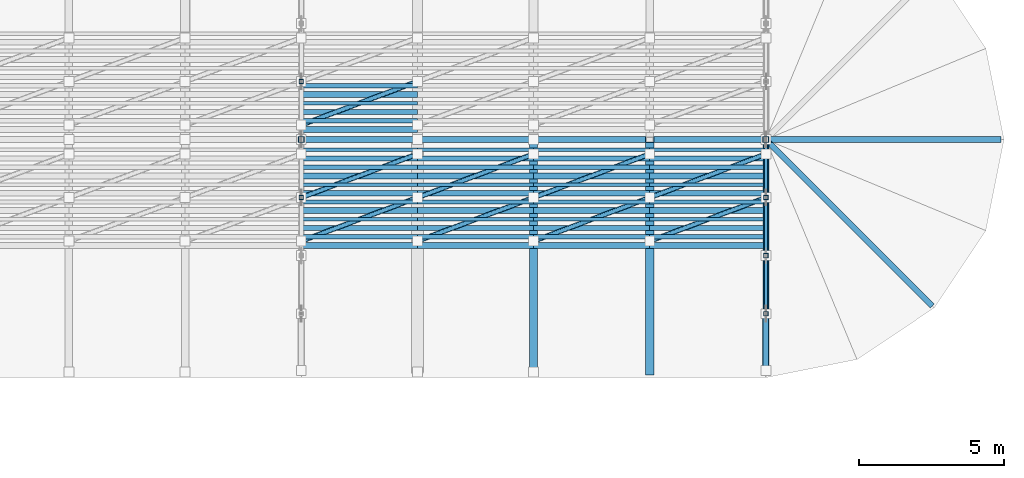
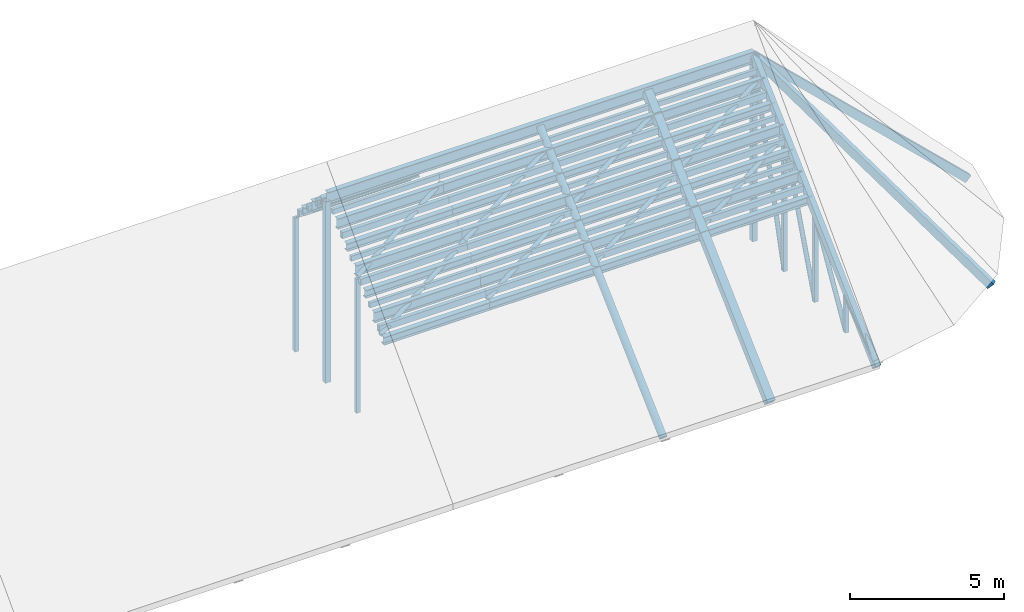
# One storey, part 12 of 18: 80 members.
"""IFC4 building model written with IfcOpenShell, lengths in metres."""

from ifc_helpers import new_model, si_unit, direction, frame, origin, origin_2d, place, context, subcontext, project, spatial, hollow_rectangle, hollow_circle, i_section, extrude, material, material_profile, profile_set, type_object, element, save


model = new_model("IFC4")

# Units and contexts
model_context = context("Model", 3, precision=1e-05, world=origin(), true_north=direction((0.0, 1.0)))
body_context = subcontext(model_context, "Body", "Model", "MODEL_VIEW")
ifc_project = project(units=[si_unit("LENGTHUNIT", "METRE"), si_unit("AREAUNIT", "SQUARE_METRE"), si_unit("VOLUMEUNIT", "CUBIC_METRE"), si_unit("PLANEANGLEUNIT", "RADIAN"), si_unit("MASSUNIT", "GRAM", prefix="KILO")], contexts=[model_context])

# Site, building, storey
site_placement = place(None, origin())
site = spatial("IfcSite", under=ifc_project, at=site_placement, CompositionType="ELEMENT")
building_placement = place(site_placement, origin())
building = spatial("IfcBuilding", under=site, at=building_placement, Name="Serraluz Foothill Cableway Terminal", CompositionType="ELEMENT")
storey_placement = place(building_placement, frame((0.0, 0.0, 24.300048828125)))
storey = spatial("IfcBuildingStorey", under=building, at=storey_placement, Name="RF", CompositionType="ELEMENT", Elevation=24.300048828125)

# Members
ifc_material_1 = material(Name="Steel ASTM A572 Grade 50", Category="steel")
ifc_material_profile_1 = material_profile(ifc_material_1, hollow_circle(Radius=0.084228515625, WallThickness=0.010009765625, at=origin_2d()), Name="CHS168X10")
ifc_profile_set_1 = profile_set([ifc_material_profile_1], Name="Steel ASTM A572 Grade 50")
member_type_1 = type_object("IfcMemberType", Name="TYP-BR-CHS168", PredefinedType="BRACE", material=ifc_profile_set_1)
member_1_placement = place(storey_placement, frame((152.0, 58.0302734375, -4.568115234375), z_axis=(0.0, 0.502584169831, 0.864528283074), x_axis=(-1.0, 0.0, 0.0)))
element("IfcMember", 1, at=member_1_placement, inside=storey, type_object=member_type_1, Name="ROOF TRUSS TR-08 Diagonal 2", PredefinedType="BRACE", context=body_context, shape_type="SweptSolid", body=[
    extrude(hollow_circle(Radius=0.084228515625, WallThickness=0.010009765625, at=origin_2d()), origin(), (0.0, 0.0, 1.0), 3.85888671875),
])
member_2_placement = place(storey_placement, frame((152.0, 60.02099609375, -4.56396484375), z_axis=(0.0, 0.352230195063, 0.935913398604), x_axis=(-1.0, 0.0, 0.0)))
element("IfcMember", 2, at=member_2_placement, inside=storey, type_object=member_type_1, Name="ROOF TRUSS TR-08 Diagonal 3", PredefinedType="BRACE", context=body_context, shape_type="SweptSolid", body=[
    extrude(hollow_circle(Radius=0.084228515625, WallThickness=0.010009765625, at=origin_2d()), origin(), (0.0, 0.0, 1.0), 5.558837890625),
])
member_3_placement = place(storey_placement, frame((152.0, 62.01611328125, -4.562255859375), z_axis=(0.0, 0.26797823219, 0.963424967017), x_axis=(-1.0, 0.0, 0.0)))
element("IfcMember", 3, at=member_3_placement, inside=storey, type_object=member_type_1, Name="ROOF TRUSS TR-08 Diagonal 4", PredefinedType="BRACE", context=body_context, shape_type="SweptSolid", body=[
    extrude(hollow_circle(Radius=0.084228515625, WallThickness=0.010009765625, at=origin_2d()), origin(), (0.0, 0.0, 1.0), 7.343017578125),
])
for number, where, z_axis, x_axis, name in (
    (4, (136.0, 60.5, -0.641357421875), (0.889382269185, 0.333518350944, 0.31267345401), (-0.351123441588, 0.936329177569, 0.0), "Roof Lateral Wind Brace 0697"),
    (5, (136.0, 62.0, 0.764892578125), (0.889382269185, 0.333518350944, 0.31267345401), (-0.351123441588, 0.936329177569, 0.0), "Roof Lateral Wind Brace 0698"),
    (6, (136.0, 64.5, 2.171142578125), (0.889382269185, 0.333518350944, -0.31267345401), (-0.351123441588, 0.936329177569, 0.0), "Roof Lateral Wind Brace 0699"),
    (7, (140.0, 60.5, -0.641357421875), (0.889382269185, 0.333518350944, 0.31267345401), (-0.351123441588, 0.936329177569, 0.0), "Roof Lateral Wind Brace 0725"),
    (8, (140.0, 62.0, 0.764892578125), (0.889382269185, 0.333518350944, 0.31267345401), (-0.351123441588, 0.936329177569, 0.0), "Roof Lateral Wind Brace 0726"),
    (9, (144.0, 60.5, -0.641357421875), (0.889382269185, 0.333518350944, 0.31267345401), (-0.351123441588, 0.936329177569, 0.0), "Roof Lateral Wind Brace 0753"),
    (10, (144.0, 62.0, 0.764892578125), (0.889382269185, 0.333518350944, 0.31267345401), (-0.351123441588, 0.936329177569, 0.0), "Roof Lateral Wind Brace 0754"),
    (11, (148.0, 60.5, -0.641357421875), (0.889382269185, 0.333518350944, 0.31267345401), (-0.351123441588, 0.936329177569, 0.0), "Roof Lateral Wind Brace 0781"),
    (12, (148.0, 62.0, 0.764892578125), (0.889382269185, 0.333518350944, 0.31267345401), (-0.351123441588, 0.936329177569, 0.0), "Roof Lateral Wind Brace 0782"),
):
    element("IfcMember", number, at=place(storey_placement, frame(where, z_axis=z_axis, x_axis=x_axis)), inside=storey, type_object=member_type_1, Name=name, PredefinedType="BRACE", context=body_context, shape_type="SweptSolid", body=[
        extrude(hollow_circle(Radius=0.084228515625, WallThickness=0.010009765625, at=origin_2d()), origin(), (0.0, 0.0, 1.0), 4.49755859375),
    ])
ifc_material_profile_2 = material_profile(ifc_material_1, hollow_circle(Radius=0.109619140625, WallThickness=0.011962890625, at=origin_2d()), Name="CHS219X12")
ifc_profile_set_2 = profile_set([ifc_material_profile_2], Name="Steel ASTM A572 Grade 50")
member_type_2 = type_object("IfcMemberType", Name="TYP-BR-CHS219", PredefinedType="BRACE", material=ifc_profile_set_2)
member_4_placement = place(storey_placement, frame((152.0, 56.04736328125, -4.5830078125), z_axis=(0.0, 0.787528424659, 0.616278330265), x_axis=(-1.0, 0.0, 0.0)))
element("IfcMember", 13, at=member_4_placement, inside=storey, type_object=member_type_2, Name="ROOF TRUSS TR-08 Diagonal 1", PredefinedType="BRACE", context=body_context, shape_type="SweptSolid", body=[
    extrude(hollow_circle(Radius=0.109619140625, WallThickness=0.011962890625, at=origin_2d()), origin(), (0.0, 0.0, 1.0), 2.419189453125),
])
ifc_material_profile_3 = material_profile(ifc_material_1, hollow_circle(Radius=0.136474609375, WallThickness=0.011962890625, at=origin_2d()), Name="CHS273X12")
ifc_profile_set_3 = profile_set([ifc_material_profile_3], Name="Steel ASTM A572 Grade 50")
member_type_3 = type_object("IfcMemberType", Name="TYP-BR-CHS273", PredefinedType="BRACE", material=ifc_profile_set_3)
member_5_placement = place(storey_placement, frame((144.0, 56.0, -4.800048828125), z_axis=(0.0, 0.72953720414, 0.683941128881), x_axis=(-1.0, 0.0, 0.0)))
element("IfcMember", 14, at=member_5_placement, inside=storey, type_object=member_type_3, Name="Secondary Roof Rafter 0039", PredefinedType="BRACE", context=body_context, shape_type="SweptSolid", body=[
    extrude(hollow_circle(Radius=0.136474609375, WallThickness=0.011962890625, at=origin_2d()), origin(), (0.0, 0.0, 1.0), 10.9658203125),
])
ifc_material_profile_4 = material_profile(ifc_material_1, hollow_rectangle(XDim=0.14990234375, YDim=0.14990234375, WallThickness=0.010009765625, at=origin_2d()), Name="HSS150X150X10")
ifc_profile_set_4 = profile_set([ifc_material_profile_4], Name="Steel ASTM A572 Grade 50")
member_type_4 = type_object("IfcMemberType", Name="TYP-BR-HSS150", PredefinedType="BRACE", material=ifc_profile_set_4)
for number, where, z_axis, x_axis, name in (
    (15, (136.0, 62.0, -4.610107421875), (0.0, 0.0, 1.0), (1.0, 0.0, 0.0), "ROOF TRUSS TR-07 Web Post 3"),
    (16, (136.0, 66.0, -4.610107421875), (0.0, 0.0, 1.0), (1.0, 0.0, 0.0), "ROOF TRUSS TR-07 Web Post 5"),
):
    element("IfcMember", number, at=place(storey_placement, frame(where, z_axis=z_axis, x_axis=x_axis)), inside=storey, type_object=member_type_4, Name=name, PredefinedType="BRACE", context=body_context, shape_type="SweptSolid", body=[
        extrude(hollow_rectangle(XDim=0.14990234375, YDim=0.14990234375, WallThickness=0.010009765625, at=origin_2d()), origin(), (0.0, 0.0, 1.0), 5.295166015625),
    ])
member_6_placement = place(storey_placement, frame((152.0, 58.0, -4.610107421875), z_axis=(0.0, 0.0, 1.0), x_axis=(1.0, 0.0, 0.0)))
element("IfcMember", 17, at=member_6_placement, inside=storey, type_object=member_type_4, Name="ROOF TRUSS TR-08 Web Post 1", PredefinedType="BRACE", context=body_context, shape_type="SweptSolid", body=[
    extrude(hollow_rectangle(XDim=0.14990234375, YDim=0.14990234375, WallThickness=0.010009765625, at=origin_2d()), origin(), (0.0, 0.0, 1.0), 1.545166015625),
])
member_7_placement = place(storey_placement, frame((152.0, 60.0, -4.610107421875), z_axis=(0.0, 0.0, 1.0), x_axis=(1.0, 0.0, 0.0)))
element("IfcMember", 18, at=member_7_placement, inside=storey, type_object=member_type_4, Name="ROOF TRUSS TR-08 Web Post 2", PredefinedType="BRACE", context=body_context, shape_type="SweptSolid", body=[
    extrude(hollow_rectangle(XDim=0.14990234375, YDim=0.14990234375, WallThickness=0.010009765625, at=origin_2d()), origin(), (0.0, 0.0, 1.0), 3.420166015625),
])
member_8_placement = place(storey_placement, frame((152.0, 62.0, -4.610107421875), z_axis=(0.0, 0.0, 1.0), x_axis=(1.0, 0.0, 0.0)))
element("IfcMember", 19, at=member_8_placement, inside=storey, type_object=member_type_4, Name="ROOF TRUSS TR-08 Web Post 3", PredefinedType="BRACE", context=body_context, shape_type="SweptSolid", body=[
    extrude(hollow_rectangle(XDim=0.14990234375, YDim=0.14990234375, WallThickness=0.010009765625, at=origin_2d()), origin(), (0.0, 0.0, 1.0), 5.295166015625),
])
ifc_material_profile_5 = material_profile(ifc_material_1, hollow_rectangle(XDim=0.199951171875, YDim=0.199951171875, WallThickness=0.011962890625, at=origin_2d()), Name="HSS200X200X12")
ifc_profile_set_5 = profile_set([ifc_material_profile_5], Name="Steel ASTM A572 Grade 50")
member_type_5 = type_object("IfcMemberType", Name="TYP-BR-HSS200", PredefinedType="BRACE", material=ifc_profile_set_5)
for number, where, z_axis, x_axis, name in (
    (20, (136.0, 64.0, -4.610107421875), (0.0, 0.0, 1.0), (1.0, 0.0, 0.0), "ROOF TRUSS TR-07 Web Post 4"),
    (21, (152.0, 64.0, -4.610107421875), (0.0, 0.0, 1.0), (1.0, 0.0, 0.0), "ROOF TRUSS TR-08 Web Post 4"),
):
    element("IfcMember", number, at=place(storey_placement, frame(where, z_axis=z_axis, x_axis=x_axis)), inside=storey, type_object=member_type_5, Name=name, PredefinedType="BRACE", context=body_context, shape_type="SweptSolid", body=[
        extrude(hollow_rectangle(XDim=0.199951171875, YDim=0.199951171875, WallThickness=0.011962890625, at=origin_2d()), origin(), (0.0, 0.0, 1.0), 7.170166015625),
    ])
ifc_material_profile_6 = material_profile(ifc_material_1, hollow_rectangle(XDim=0.300048828125, YDim=0.300048828125, WallThickness=0.01611328125, at=origin_2d()), Name="HSS300X300X16")
ifc_profile_set_6 = profile_set([ifc_material_profile_6], Name="Steel ASTM A572 Grade 50")
member_type_6 = type_object("IfcMemberType", Name="TYP-CH-HSS300", PredefinedType="CHORD", material=ifc_profile_set_6)
member_9_placement = place(storey_placement, frame((148.0, 56.0, -4.800048828125), z_axis=(0.0, 0.72953720414, 0.683941128881), x_axis=(-1.0, 0.0, 0.0)))
element("IfcMember", 22, at=member_9_placement, inside=storey, type_object=member_type_6, Name="Secondary Roof Rafter 0041", PredefinedType="CHORD", context=body_context, shape_type="SweptSolid", body=[
    extrude(hollow_rectangle(XDim=0.300048828125, YDim=0.300048828125, WallThickness=0.01611328125, at=origin_2d()), origin(), (0.0, 0.0, 1.0), 10.9658203125),
])
ifc_material_profile_7 = material_profile(ifc_material_1, hollow_rectangle(XDim=0.199951171875, YDim=0.300048828125, WallThickness=0.011962890625, at=origin_2d()), Name="HSS300X200X12")
ifc_profile_set_7 = profile_set([ifc_material_profile_7], Name="Steel ASTM A572 Grade 50")
member_type_7 = type_object("IfcMemberType", Name="TYP-CH-HSS300X200", PredefinedType="CHORD", material=ifc_profile_set_7)
member_10_placement = place(storey_placement, frame((152.0, 56.0, -4.800048828125), z_axis=(0.0, 0.72953720414, 0.683941128881), x_axis=(-1.0, 0.0, 0.0)))
element("IfcMember", 23, at=member_10_placement, inside=storey, type_object=member_type_7, Name="ROOF TRUSS TR-08 Top Chord 1", PredefinedType="CHORD", context=body_context, shape_type="SweptSolid", body=[
    extrude(hollow_rectangle(XDim=0.199951171875, YDim=0.300048828125, WallThickness=0.011962890625, at=origin_2d()), origin(), (0.0, 0.0, 1.0), 10.9658203125),
])
member_11_placement = place(storey_placement, frame((157.656982421875, 58.343017578125, -4.949951171875), z_axis=(-0.511062967446, 0.511062967446, 0.691107290231), x_axis=(-0.707106781187, -0.707106781187, 0.0)))
element("IfcMember", 24, at=member_11_placement, inside=storey, type_object=member_type_7, Name="Rounded Apse Roof Hip Rafter E-1", PredefinedType="CHORD", context=body_context, shape_type="SweptSolid", body=[
    extrude(hollow_rectangle(XDim=0.199951171875, YDim=0.300048828125, WallThickness=0.011962890625, at=origin_2d()), origin(), (0.0, 0.0, 1.0), 11.069091796875),
])
member_12_placement = place(storey_placement, frame((160.0, 64.0, -4.949951171875), z_axis=(-0.722744358151, 0.0, 0.691115469919), x_axis=(0.0, -1.0, 0.0)))
element("IfcMember", 25, at=member_12_placement, inside=storey, type_object=member_type_7, Name="Rounded Apse Roof Hip Rafter E-2", PredefinedType="CHORD", context=body_context, shape_type="SweptSolid", body=[
    extrude(hollow_rectangle(XDim=0.199951171875, YDim=0.300048828125, WallThickness=0.011962890625, at=origin_2d()), origin(), (0.0, 0.0, 1.0), 11.06884765625),
])
ifc_material_profile_8 = material_profile(ifc_material_1, hollow_rectangle(XDim=0.1201171875, YDim=0.199951171875, WallThickness=0.008056640625, at=origin_2d()), Name="HSS200X120X8")
ifc_profile_set_8 = profile_set([ifc_material_profile_8], Name="Steel ASTM A572 Grade 50")
member_type_8 = type_object("IfcMemberType", Name="TYP-PR-HSS200X120", PredefinedType="PURLIN", material=ifc_profile_set_8)
for number, where, z_axis, x_axis, name in (
    (26, (136.0, 61.25, 0.081787109375), (1.0, 0.0, 0.0), (0.0, 1.0, 0.0), "Secondary Roof Purlin 0676"),
    (27, (136.0, 62.449951171875, 1.206787109375), (1.0, 0.0, 0.0), (0.0, 1.0, 0.0), "Secondary Roof Purlin 0680"),
    (28, (136.0, 63.64990234375, 2.331787109375), (1.0, 0.0, 0.0), (0.0, 1.0, 0.0), "Secondary Roof Purlin 0684"),
    (29, (136.0, 65.25, 1.488037109375), (1.0, 0.0, 0.0), (0.0, 1.0, 0.0), "Secondary Roof Purlin 0688"),
    (30, (140.0, 61.25, 0.081787109375), (1.0, 0.0, 0.0), (0.0, 1.0, 0.0), "Secondary Roof Purlin 0704"),
    (31, (140.0, 62.449951171875, 1.206787109375), (1.0, 0.0, 0.0), (0.0, 1.0, 0.0), "Secondary Roof Purlin 0708"),
    (32, (140.0, 63.64990234375, 2.331787109375), (1.0, 0.0, 0.0), (0.0, 1.0, 0.0), "Secondary Roof Purlin 0712"),
    (33, (144.0, 61.25, 0.081787109375), (1.0, 0.0, 0.0), (0.0, 1.0, 0.0), "Secondary Roof Purlin 0732"),
    (34, (144.0, 62.449951171875, 1.206787109375), (1.0, 0.0, 0.0), (0.0, 1.0, 0.0), "Secondary Roof Purlin 0736"),
    (35, (144.0, 63.64990234375, 2.331787109375), (1.0, 0.0, 0.0), (0.0, 1.0, 0.0), "Secondary Roof Purlin 0740"),
    (36, (148.0, 61.25, 0.081787109375), (1.0, 0.0, 0.0), (0.0, 1.0, 0.0), "Secondary Roof Purlin 0760"),
    (37, (148.0, 62.449951171875, 1.206787109375), (1.0, 0.0, 0.0), (0.0, 1.0, 0.0), "Secondary Roof Purlin 0764"),
    (38, (148.0, 63.64990234375, 2.331787109375), (1.0, 0.0, 0.0), (0.0, 1.0, 0.0), "Secondary Roof Purlin 0768"),
):
    element("IfcMember", number, at=place(storey_placement, frame(where, z_axis=z_axis, x_axis=x_axis)), inside=storey, type_object=member_type_8, Name=name, PredefinedType="PURLIN", context=body_context, shape_type="SweptSolid", body=[
        extrude(hollow_rectangle(XDim=0.1201171875, YDim=0.199951171875, WallThickness=0.008056640625, at=origin_2d()), origin(), (0.0, 0.0, 1.0), 4.0),
    ])
ifc_material_profile_9 = material_profile(ifc_material_1, hollow_rectangle(XDim=0.14990234375, YDim=0.25, WallThickness=0.010009765625, at=origin_2d()), Name="HSS250X150X10")
ifc_profile_set_9 = profile_set([ifc_material_profile_9], Name="Steel ASTM A572 Grade 50")
member_type_9 = type_object("IfcMemberType", Name="TYP-PR-HSS250X150", PredefinedType="PURLIN", material=ifc_profile_set_9)
for number, where, z_axis, x_axis, name in (
    (39, (136.0, 60.64990234375, -0.480712890625), (1.0, 0.0, 0.0), (0.0, 1.0, 0.0), "Secondary Roof Purlin 0674"),
    (40, (136.0, 61.85009765625, 0.644287109375), (1.0, 0.0, 0.0), (0.0, 1.0, 0.0), "Secondary Roof Purlin 0678"),
    (41, (136.0, 63.050048828125, 1.769287109375), (1.0, 0.0, 0.0), (0.0, 1.0, 0.0), "Secondary Roof Purlin 0682"),
    (42, (136.0, 64.64990234375, 2.050537109375), (1.0, 0.0, 0.0), (0.0, 1.0, 0.0), "Secondary Roof Purlin 0686"),
    (43, (136.0, 65.85009765625, 0.925537109375), (1.0, 0.0, 0.0), (0.0, 1.0, 0.0), "Secondary Roof Purlin 0690"),
    (44, (140.0, 60.64990234375, -0.480712890625), (1.0, 0.0, 0.0), (0.0, 1.0, 0.0), "Secondary Roof Purlin 0702"),
    (45, (140.0, 61.85009765625, 0.644287109375), (1.0, 0.0, 0.0), (0.0, 1.0, 0.0), "Secondary Roof Purlin 0706"),
    (46, (140.0, 63.050048828125, 1.769287109375), (1.0, 0.0, 0.0), (0.0, 1.0, 0.0), "Secondary Roof Purlin 0710"),
    (47, (144.0, 60.64990234375, -0.480712890625), (1.0, 0.0, 0.0), (0.0, 1.0, 0.0), "Secondary Roof Purlin 0730"),
    (48, (144.0, 61.85009765625, 0.644287109375), (1.0, 0.0, 0.0), (0.0, 1.0, 0.0), "Secondary Roof Purlin 0734"),
    (49, (144.0, 63.050048828125, 1.769287109375), (1.0, 0.0, 0.0), (0.0, 1.0, 0.0), "Secondary Roof Purlin 0738"),
    (50, (148.0, 60.64990234375, -0.480712890625), (1.0, 0.0, 0.0), (0.0, 1.0, 0.0), "Secondary Roof Purlin 0758"),
    (51, (148.0, 61.85009765625, 0.644287109375), (1.0, 0.0, 0.0), (0.0, 1.0, 0.0), "Secondary Roof Purlin 0762"),
    (52, (148.0, 63.050048828125, 1.769287109375), (1.0, 0.0, 0.0), (0.0, 1.0, 0.0), "Secondary Roof Purlin 0766"),
):
    element("IfcMember", number, at=place(storey_placement, frame(where, z_axis=z_axis, x_axis=x_axis)), inside=storey, type_object=member_type_9, Name=name, PredefinedType="PURLIN", context=body_context, shape_type="SweptSolid", body=[
        extrude(hollow_rectangle(XDim=0.14990234375, YDim=0.25, WallThickness=0.010009765625, at=origin_2d()), origin(), (0.0, 0.0, 1.0), 4.0),
    ])
ifc_material_2 = material(Name="Steel ASTM A992 Grade 50", Category="steel")
ifc_material_profile_10 = material_profile(ifc_material_2, i_section(OverallWidth=0.205078125, OverallDepth=0.31005859375, WebThickness=0.009521484375, FlangeThickness=0.016357421875, FilletRadius=0.012939453125, at=origin_2d()), Name="W12X50")
ifc_profile_set_10 = profile_set([ifc_material_profile_10], Name="Steel ASTM A992 Grade 50")
member_type_10 = type_object("IfcMemberType", Name="TYP-PR-W12X50", PredefinedType="PURLIN", material=ifc_profile_set_10)
for number, where, z_axis, x_axis, name in (
    (53, (136.0, 60.35009765625, -0.761962890625), (1.0, 0.0, 0.0), (0.0, 1.0, 0.0), "Secondary Roof Purlin 0673"),
    (54, (136.0, 61.550048828125, 0.363037109375), (1.0, 0.0, 0.0), (0.0, 1.0, 0.0), "Secondary Roof Purlin 0677"),
    (55, (136.0, 62.75, 1.488037109375), (1.0, 0.0, 0.0), (0.0, 1.0, 0.0), "Secondary Roof Purlin 0681"),
    (56, (136.0, 64.35009765625, 2.331787109375), (1.0, 0.0, 0.0), (0.0, 1.0, 0.0), "Secondary Roof Purlin 0685"),
    (57, (136.0, 65.550048828125, 1.206787109375), (1.0, 0.0, 0.0), (0.0, 1.0, 0.0), "Secondary Roof Purlin 0689"),
    (58, (140.0, 60.35009765625, -0.761962890625), (1.0, 0.0, 0.0), (0.0, 1.0, 0.0), "Secondary Roof Purlin 0701"),
    (59, (140.0, 61.550048828125, 0.363037109375), (1.0, 0.0, 0.0), (0.0, 1.0, 0.0), "Secondary Roof Purlin 0705"),
    (60, (140.0, 62.75, 1.488037109375), (1.0, 0.0, 0.0), (0.0, 1.0, 0.0), "Secondary Roof Purlin 0709"),
    (61, (144.0, 60.35009765625, -0.761962890625), (1.0, 0.0, 0.0), (0.0, 1.0, 0.0), "Secondary Roof Purlin 0729"),
    (62, (144.0, 61.550048828125, 0.363037109375), (1.0, 0.0, 0.0), (0.0, 1.0, 0.0), "Secondary Roof Purlin 0733"),
    (63, (144.0, 62.75, 1.488037109375), (1.0, 0.0, 0.0), (0.0, 1.0, 0.0), "Secondary Roof Purlin 0737"),
    (64, (148.0, 60.35009765625, -0.761962890625), (1.0, 0.0, 0.0), (0.0, 1.0, 0.0), "Secondary Roof Purlin 0757"),
    (65, (148.0, 61.550048828125, 0.363037109375), (1.0, 0.0, 0.0), (0.0, 1.0, 0.0), "Secondary Roof Purlin 0761"),
    (66, (148.0, 62.75, 1.488037109375), (1.0, 0.0, 0.0), (0.0, 1.0, 0.0), "Secondary Roof Purlin 0765"),
):
    element("IfcMember", number, at=place(storey_placement, frame(where, z_axis=z_axis, x_axis=x_axis)), inside=storey, type_object=member_type_10, Name=name, PredefinedType="PURLIN", context=body_context, shape_type="SweptSolid", body=[
        extrude(i_section(OverallWidth=0.205078125, OverallDepth=0.31005859375, WebThickness=0.009521484375, FlangeThickness=0.016357421875, FilletRadius=0.012939453125, at=origin_2d()), origin(), (0.0, 0.0, 1.0), 4.0),
    ])
ifc_material_profile_11 = material_profile(ifc_material_2, i_section(OverallWidth=0.180908203125, OverallDepth=0.4169921875, WebThickness=0.010986328125, FlangeThickness=0.018310546875, FilletRadius=0.013916015625, at=origin_2d()), Name="W16X57")
ifc_profile_set_11 = profile_set([ifc_material_profile_11], Name="Steel ASTM A992 Grade 50")
member_type_11 = type_object("IfcMemberType", Name="TYP-PR-W16X57", PredefinedType="PURLIN", material=ifc_profile_set_11)
for number, where, z_axis, x_axis, name in (
    (67, (136.0, 60.949951171875, -0.199462890625), (1.0, 0.0, 0.0), (0.0, 1.0, 0.0), "Secondary Roof Purlin 0675"),
    (68, (136.0, 62.14990234375, 0.925537109375), (1.0, 0.0, 0.0), (0.0, 1.0, 0.0), "Secondary Roof Purlin 0679"),
    (69, (136.0, 63.35009765625, 2.050537109375), (1.0, 0.0, 0.0), (0.0, 1.0, 0.0), "Secondary Roof Purlin 0683"),
    (70, (136.0, 64.949951171875, 1.769287109375), (1.0, 0.0, 0.0), (0.0, 1.0, 0.0), "Secondary Roof Purlin 0687"),
    (71, (140.0, 60.949951171875, -0.199462890625), (1.0, 0.0, 0.0), (0.0, 1.0, 0.0), "Secondary Roof Purlin 0703"),
    (72, (140.0, 62.14990234375, 0.925537109375), (1.0, 0.0, 0.0), (0.0, 1.0, 0.0), "Secondary Roof Purlin 0707"),
    (73, (140.0, 63.35009765625, 2.050537109375), (1.0, 0.0, 0.0), (0.0, 1.0, 0.0), "Secondary Roof Purlin 0711"),
    (74, (144.0, 60.949951171875, -0.199462890625), (1.0, 0.0, 0.0), (0.0, 1.0, 0.0), "Secondary Roof Purlin 0731"),
    (75, (144.0, 62.14990234375, 0.925537109375), (1.0, 0.0, 0.0), (0.0, 1.0, 0.0), "Secondary Roof Purlin 0735"),
    (76, (144.0, 63.35009765625, 2.050537109375), (1.0, 0.0, 0.0), (0.0, 1.0, 0.0), "Secondary Roof Purlin 0739"),
    (77, (148.0, 60.949951171875, -0.199462890625), (1.0, 0.0, 0.0), (0.0, 1.0, 0.0), "Secondary Roof Purlin 0759"),
    (78, (148.0, 62.14990234375, 0.925537109375), (1.0, 0.0, 0.0), (0.0, 1.0, 0.0), "Secondary Roof Purlin 0763"),
    (79, (148.0, 63.35009765625, 2.050537109375), (1.0, 0.0, 0.0), (0.0, 1.0, 0.0), "Secondary Roof Purlin 0767"),
):
    element("IfcMember", number, at=place(storey_placement, frame(where, z_axis=z_axis, x_axis=x_axis)), inside=storey, type_object=member_type_11, Name=name, PredefinedType="PURLIN", context=body_context, shape_type="SweptSolid", body=[
        extrude(i_section(OverallWidth=0.180908203125, OverallDepth=0.4169921875, WebThickness=0.010986328125, FlangeThickness=0.018310546875, FilletRadius=0.013916015625, at=origin_2d()), origin(), (0.0, 0.0, 1.0), 4.0),
    ])
ifc_material_profile_12 = material_profile(ifc_material_2, i_section(OverallWidth=0.193115234375, OverallDepth=0.467041015625, WebThickness=0.011474609375, FlangeThickness=0.01904296875, FilletRadius=0.014892578125, at=origin_2d()), Name="W18X65")
ifc_profile_set_12 = profile_set([ifc_material_profile_12], Name="Steel ASTM A992 Grade 50")
member_type_12 = type_object("IfcMemberType", Name="TYP-PR-W18X65", PredefinedType="PURLIN", material=ifc_profile_set_12)
member_13_placement = place(storey_placement, frame((136.0, 64.0, 2.679931640625), z_axis=(1.0, 0.0, 0.0), x_axis=(0.0, 1.0, 0.0)))
element("IfcMember", 80, at=member_13_placement, inside=storey, type_object=member_type_12, Name="Primary Roof Ridge/Eave Purlin 7-64", PredefinedType="PURLIN", context=body_context, shape_type="SweptSolid", body=[
    extrude(i_section(OverallWidth=0.193115234375, OverallDepth=0.467041015625, WebThickness=0.011474609375, FlangeThickness=0.01904296875, FilletRadius=0.014892578125, at=origin_2d()), origin(), (0.0, 0.0, 1.0), 16.0),
])

save(model, "model.ifc")
